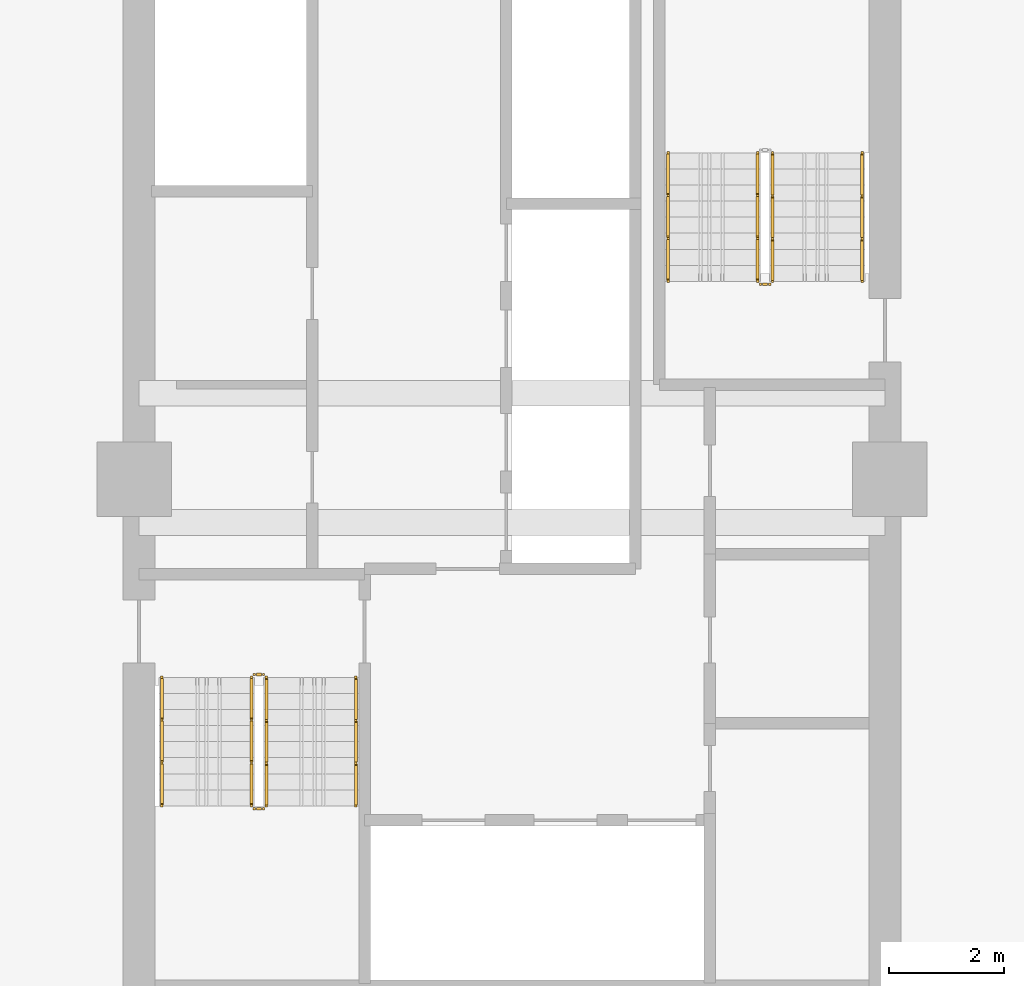
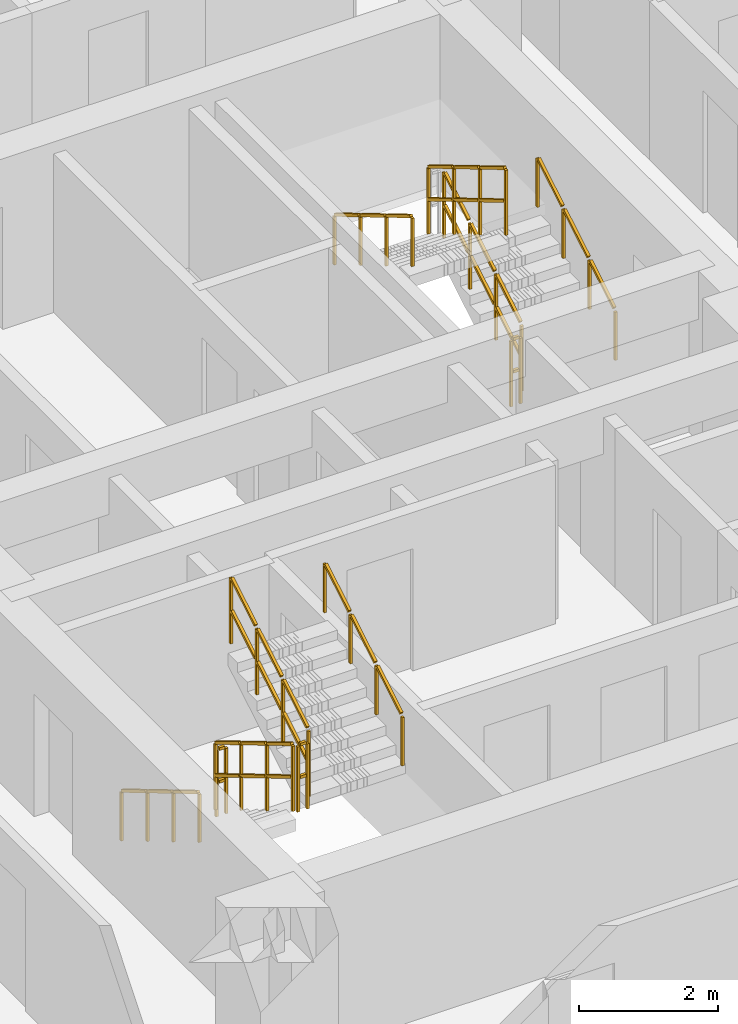
# One storey, part 10 of 12: 11 railings.
"""IFC4 building model written with IfcOpenShell, lengths in metres."""

from ifc_helpers import new_model, si_unit, direction, frame, origin, origin_2d, place, context, subcontext, project, spatial, rectangle, extrude, material, type_object, element, save


model = new_model("IFC4")

# Units and contexts
model_context = context("Model", 3, precision=1e-05, world=origin(), true_north=direction((0.0, 1.0)))
body_context = subcontext(model_context, "Body", "Model", "MODEL_VIEW")
ifc_project = project(units=[si_unit("LENGTHUNIT", "METRE"), si_unit("AREAUNIT", "SQUARE_METRE"), si_unit("VOLUMEUNIT", "CUBIC_METRE"), si_unit("PLANEANGLEUNIT", "RADIAN"), si_unit("MASSUNIT", "GRAM", prefix="KILO")], contexts=[model_context])

# Site, building, storey
site_placement = place(None, origin())
site = spatial("IfcSite", under=ifc_project, at=site_placement, CompositionType="ELEMENT")
building_placement = place(site_placement, origin())
building = spatial("IfcBuilding", under=site, at=building_placement, Name="Saelheon Loggia Tower", CompositionType="ELEMENT")
storey_placement = place(building_placement, frame((0.0, 0.0, 101.85009765625)))
storey = spatial("IfcBuildingStorey", under=building, at=storey_placement, Name="L32", CompositionType="ELEMENT", Elevation=101.85009765625)

# Railings
ifc_material_1 = material(Name="Galvanised Steel S275 Stairwell Guardrail", Category="steel")
railing_type_1 = type_object("IfcRailingType", Name="Guard_StairWell_RL_STG", PredefinedType="GUARDRAIL", material=ifc_material_1)
railing_1_placement = place(storey_placement, frame((33.4599609375, 23.550048828125, 0.16650390625)))
element("IfcRailing", 1, at=railing_1_placement, inside=storey, type_object=railing_type_1, Name="L32 ST1 stair guard 1", PredefinedType="GUARDRAIL", context=body_context, shape_type="SweptSolid", body=[
    extrude(rectangle(XDim=0.048095703125, YDim=0.048095703125, at=origin_2d()), frame((0.0, -0.028564453125, 1.19287109375), z_axis=(0.0, -0.859264461869, 0.511531606619), x_axis=(1.0, 0.0, 0.0)), (0.0, 0.0, 1.0), 0.802490234375),
    extrude(rectangle(XDim=0.048095703125, YDim=0.048095703125, at=origin_2d()), frame((0.0, -0.028564453125, 0.616943359375), z_axis=(0.0, -0.859264461869, 0.511531606619), x_axis=(1.0, 0.0, 0.0)), (0.0, 0.0, 1.0), 0.802490234375),
    extrude(rectangle(XDim=0.048095703125, YDim=0.048095703125, at=origin_2d()), frame((0.0, -0.775146484375, 1.637451171875), z_axis=(0.0, -0.859264461869, 0.511531606619), x_axis=(1.0, 0.0, 0.0)), (0.0, 0.0, 1.0), 0.802490234375),
    extrude(rectangle(XDim=0.048095703125, YDim=0.048095703125, at=origin_2d()), frame((0.0, -0.775146484375, 1.0615234375), z_axis=(0.0, -0.859264461869, 0.511531606619), x_axis=(1.0, 0.0, 0.0)), (0.0, 0.0, 1.0), 0.802490234375),
    extrude(rectangle(XDim=0.048095703125, YDim=0.048095703125, at=origin_2d()), frame((0.0, -1.52197265625, 2.081787109375), z_axis=(0.0, -0.859264461869, 0.511531606619), x_axis=(1.0, 0.0, 0.0)), (0.0, 0.0, 1.0), 0.802490234375),
    extrude(rectangle(XDim=0.048095703125, YDim=0.048095703125, at=origin_2d()), frame((0.0, -1.52197265625, 1.505859375), z_axis=(0.0, -0.859264461869, 0.511531606619), x_axis=(1.0, 0.0, 0.0)), (0.0, 0.0, 1.0), 0.802490234375),
    extrude(rectangle(XDim=0.0419921875, YDim=0.0419921875, at=origin_2d()), origin(), (0.0, 0.0, 1.0), 1.14794921875),
    extrude(rectangle(XDim=0.0419921875, YDim=0.0419921875, at=origin_2d()), frame((0.0, -0.74658203125, 0.444580078125)), (0.0, 0.0, 1.0), 1.14794921875),
    extrude(rectangle(XDim=0.0419921875, YDim=0.0419921875, at=origin_2d()), frame((0.0, -1.493408203125, 0.888916015625)), (0.0, 0.0, 1.0), 1.14794921875),
    extrude(rectangle(XDim=0.0419921875, YDim=0.0419921875, at=origin_2d()), frame((0.0, -2.239990234375, 1.33349609375)), (0.0, 0.0, 1.0), 1.14794921875),
])
railing_2_placement = place(storey_placement, frame((33.510009765625, 21.260009765625, 1.5)))
element("IfcRailing", 2, at=railing_2_placement, inside=storey, type_object=railing_type_1, Name="L32 ST1 stair guard 2", PredefinedType="GUARDRAIL", context=body_context, shape_type="SweptSolid", body=[
    extrude(rectangle(XDim=0.048095703125, YDim=0.048095703125, at=origin_2d()), frame((0.033203125, 0.0, 1.17578125), z_axis=(1.0, 0.0, 0.0), x_axis=(0.0, 1.0, 0.0)), (0.0, 0.0, 1.0), 0.093505859375),
    extrude(rectangle(XDim=0.048095703125, YDim=0.048095703125, at=origin_2d()), frame((0.033203125, 0.0, 0.60009765625), z_axis=(1.0, 0.0, 0.0), x_axis=(0.0, 1.0, 0.0)), (0.0, 0.0, 1.0), 0.093505859375),
    extrude(rectangle(XDim=0.0419921875, YDim=0.0419921875, at=origin_2d()), origin(), (0.0, 0.0, 1.0), 1.14794921875),
    extrude(rectangle(XDim=0.0419921875, YDim=0.0419921875, at=origin_2d()), frame((0.159912109375, 0.0, 0.0)), (0.0, 0.0, 1.0), 1.14794921875),
])
railing_3_placement = place(storey_placement, frame((33.719970703125, 21.31005859375, 1.66650390625)))
element("IfcRailing", 3, at=railing_3_placement, inside=storey, type_object=railing_type_1, Name="L32 ST1 stair guard 3", PredefinedType="GUARDRAIL", context=body_context, shape_type="SweptSolid", body=[
    extrude(rectangle(XDim=0.048095703125, YDim=0.048095703125, at=origin_2d()), frame((0.0, 0.028564453125, 1.19287109375), z_axis=(0.0, 0.859264461869, 0.511531606619), x_axis=(-1.0, 0.0, 0.0)), (0.0, 0.0, 1.0), 0.802490234375),
    extrude(rectangle(XDim=0.048095703125, YDim=0.048095703125, at=origin_2d()), frame((0.0, 0.028564453125, 0.616943359375), z_axis=(0.0, 0.859264461869, 0.511531606619), x_axis=(-1.0, 0.0, 0.0)), (0.0, 0.0, 1.0), 0.802490234375),
    extrude(rectangle(XDim=0.048095703125, YDim=0.048095703125, at=origin_2d()), frame((0.0, 0.775146484375, 1.637451171875), z_axis=(0.0, 0.859264461869, 0.511531606619), x_axis=(-1.0, 0.0, 0.0)), (0.0, 0.0, 1.0), 0.802490234375),
    extrude(rectangle(XDim=0.048095703125, YDim=0.048095703125, at=origin_2d()), frame((0.0, 0.775146484375, 1.0615234375), z_axis=(0.0, 0.859264461869, 0.511531606619), x_axis=(-1.0, 0.0, 0.0)), (0.0, 0.0, 1.0), 0.802490234375),
    extrude(rectangle(XDim=0.048095703125, YDim=0.048095703125, at=origin_2d()), frame((0.0, 1.52197265625, 2.081787109375), z_axis=(0.0, 0.859264461869, 0.511531606619), x_axis=(-1.0, 0.0, 0.0)), (0.0, 0.0, 1.0), 0.802490234375),
    extrude(rectangle(XDim=0.048095703125, YDim=0.048095703125, at=origin_2d()), frame((0.0, 1.52197265625, 1.505859375), z_axis=(0.0, 0.859264461869, 0.511531606619), x_axis=(-1.0, 0.0, 0.0)), (0.0, 0.0, 1.0), 0.802490234375),
    extrude(rectangle(XDim=0.0419921875, YDim=0.0419921875, at=origin_2d()), origin(), (0.0, 0.0, 1.0), 1.14794921875),
    extrude(rectangle(XDim=0.0419921875, YDim=0.0419921875, at=origin_2d()), frame((0.0, 0.74658203125, 0.444580078125)), (0.0, 0.0, 1.0), 1.14794921875),
    extrude(rectangle(XDim=0.0419921875, YDim=0.0419921875, at=origin_2d()), frame((0.0, 1.493408203125, 0.888916015625)), (0.0, 0.0, 1.0), 1.14794921875),
    extrude(rectangle(XDim=0.0419921875, YDim=0.0419921875, at=origin_2d()), frame((0.0, 2.239990234375, 1.33349609375)), (0.0, 0.0, 1.0), 1.14794921875),
])
railing_4_placement = place(storey_placement, frame((33.510009765625, 23.60009765625, 0.0)))
element("IfcRailing", 4, at=railing_4_placement, inside=storey, type_object=railing_type_1, Name="L32 ST1 stair guard 4", PredefinedType="GUARDRAIL", context=body_context, shape_type="SweptSolid", body=[
    extrude(rectangle(XDim=0.048095703125, YDim=0.048095703125, at=origin_2d()), frame((0.033203125, 0.0, 1.17578125), z_axis=(1.0, 0.0, 0.0), x_axis=(0.0, 1.0, 0.0)), (0.0, 0.0, 1.0), 0.093505859375),
    extrude(rectangle(XDim=0.048095703125, YDim=0.048095703125, at=origin_2d()), frame((0.033203125, 0.0, 0.60009765625), z_axis=(1.0, 0.0, 0.0), x_axis=(0.0, 1.0, 0.0)), (0.0, 0.0, 1.0), 0.093505859375),
    extrude(rectangle(XDim=0.0419921875, YDim=0.0419921875, at=origin_2d()), origin(), (0.0, 0.0, 1.0), 1.14794921875),
    extrude(rectangle(XDim=0.0419921875, YDim=0.0419921875, at=origin_2d()), frame((0.159912109375, 0.0, 0.0)), (0.0, 0.0, 1.0), 1.14794921875),
])
railing_5_placement = place(storey_placement, frame((42.5400390625, 30.449951171875, 0.16650390625)))
element("IfcRailing", 5, at=railing_5_placement, inside=storey, type_object=railing_type_1, Name="L32 ST2 stair guard 1", PredefinedType="GUARDRAIL", context=body_context, shape_type="SweptSolid", body=[
    extrude(rectangle(XDim=0.048095703125, YDim=0.048095703125, at=origin_2d()), frame((0.0, 0.028564453125, 1.19287109375), z_axis=(0.0, 0.859264461869, 0.511531606619), x_axis=(-1.0, 0.0, 0.0)), (0.0, 0.0, 1.0), 0.802490234375),
    extrude(rectangle(XDim=0.048095703125, YDim=0.048095703125, at=origin_2d()), frame((0.0, 0.028564453125, 0.616943359375), z_axis=(0.0, 0.859264461869, 0.511531606619), x_axis=(-1.0, 0.0, 0.0)), (0.0, 0.0, 1.0), 0.802490234375),
    extrude(rectangle(XDim=0.048095703125, YDim=0.048095703125, at=origin_2d()), frame((0.0, 0.775146484375, 1.637451171875), z_axis=(0.0, 0.859264461869, 0.511531606619), x_axis=(-1.0, 0.0, 0.0)), (0.0, 0.0, 1.0), 0.802490234375),
    extrude(rectangle(XDim=0.048095703125, YDim=0.048095703125, at=origin_2d()), frame((0.0, 0.775146484375, 1.0615234375), z_axis=(0.0, 0.859264461869, 0.511531606619), x_axis=(-1.0, 0.0, 0.0)), (0.0, 0.0, 1.0), 0.802490234375),
    extrude(rectangle(XDim=0.048095703125, YDim=0.048095703125, at=origin_2d()), frame((0.0, 1.52197265625, 2.081787109375), z_axis=(0.0, 0.859264461869, 0.511531606619), x_axis=(-1.0, 0.0, 0.0)), (0.0, 0.0, 1.0), 0.802490234375),
    extrude(rectangle(XDim=0.048095703125, YDim=0.048095703125, at=origin_2d()), frame((0.0, 1.52197265625, 1.505859375), z_axis=(0.0, 0.859264461869, 0.511531606619), x_axis=(-1.0, 0.0, 0.0)), (0.0, 0.0, 1.0), 0.802490234375),
    extrude(rectangle(XDim=0.0419921875, YDim=0.0419921875, at=origin_2d()), origin(), (0.0, 0.0, 1.0), 1.14794921875),
    extrude(rectangle(XDim=0.0419921875, YDim=0.0419921875, at=origin_2d()), frame((0.0, 0.74658203125, 0.444580078125)), (0.0, 0.0, 1.0), 1.14794921875),
    extrude(rectangle(XDim=0.0419921875, YDim=0.0419921875, at=origin_2d()), frame((0.0, 1.493408203125, 0.888916015625)), (0.0, 0.0, 1.0), 1.14794921875),
    extrude(rectangle(XDim=0.0419921875, YDim=0.0419921875, at=origin_2d()), frame((0.0, 2.239990234375, 1.33349609375)), (0.0, 0.0, 1.0), 1.14794921875),
])
railing_6_placement = place(storey_placement, frame((42.280029296875, 32.68994140625, 1.66650390625)))
element("IfcRailing", 6, at=railing_6_placement, inside=storey, type_object=railing_type_1, Name="L32 ST2 stair guard 3", PredefinedType="GUARDRAIL", context=body_context, shape_type="SweptSolid", body=[
    extrude(rectangle(XDim=0.048095703125, YDim=0.048095703125, at=origin_2d()), frame((0.0, -0.028564453125, 1.19287109375), z_axis=(0.0, -0.859264461869, 0.511531606619), x_axis=(1.0, 0.0, 0.0)), (0.0, 0.0, 1.0), 0.802490234375),
    extrude(rectangle(XDim=0.048095703125, YDim=0.048095703125, at=origin_2d()), frame((0.0, -0.028564453125, 0.616943359375), z_axis=(0.0, -0.859264461869, 0.511531606619), x_axis=(1.0, 0.0, 0.0)), (0.0, 0.0, 1.0), 0.802490234375),
    extrude(rectangle(XDim=0.048095703125, YDim=0.048095703125, at=origin_2d()), frame((0.0, -0.775146484375, 1.637451171875), z_axis=(0.0, -0.859264461869, 0.511531606619), x_axis=(1.0, 0.0, 0.0)), (0.0, 0.0, 1.0), 0.802490234375),
    extrude(rectangle(XDim=0.048095703125, YDim=0.048095703125, at=origin_2d()), frame((0.0, -0.775146484375, 1.0615234375), z_axis=(0.0, -0.859264461869, 0.511531606619), x_axis=(1.0, 0.0, 0.0)), (0.0, 0.0, 1.0), 0.802490234375),
    extrude(rectangle(XDim=0.048095703125, YDim=0.048095703125, at=origin_2d()), frame((0.0, -1.52197265625, 2.081787109375), z_axis=(0.0, -0.859264461869, 0.511531606619), x_axis=(1.0, 0.0, 0.0)), (0.0, 0.0, 1.0), 0.802490234375),
    extrude(rectangle(XDim=0.048095703125, YDim=0.048095703125, at=origin_2d()), frame((0.0, -1.52197265625, 1.505859375), z_axis=(0.0, -0.859264461869, 0.511531606619), x_axis=(1.0, 0.0, 0.0)), (0.0, 0.0, 1.0), 0.802490234375),
    extrude(rectangle(XDim=0.0419921875, YDim=0.0419921875, at=origin_2d()), origin(), (0.0, 0.0, 1.0), 1.14794921875),
    extrude(rectangle(XDim=0.0419921875, YDim=0.0419921875, at=origin_2d()), frame((0.0, -0.74658203125, 0.444580078125)), (0.0, 0.0, 1.0), 1.14794921875),
    extrude(rectangle(XDim=0.0419921875, YDim=0.0419921875, at=origin_2d()), frame((0.0, -1.493408203125, 0.888916015625)), (0.0, 0.0, 1.0), 1.14794921875),
    extrude(rectangle(XDim=0.0419921875, YDim=0.0419921875, at=origin_2d()), frame((0.0, -2.239990234375, 1.33349609375)), (0.0, 0.0, 1.0), 1.14794921875),
])
railing_7_placement = place(storey_placement, frame((42.489990234375, 30.39990234375, 0.0)))
element("IfcRailing", 7, at=railing_7_placement, inside=storey, type_object=railing_type_1, Name="L32 ST2 stair guard 4", PredefinedType="GUARDRAIL", context=body_context, shape_type="SweptSolid", body=[
    extrude(rectangle(XDim=0.048095703125, YDim=0.048095703125, at=origin_2d()), frame((-0.033203125, 0.0, 1.17578125), z_axis=(-1.0, 0.0, 0.0), x_axis=(0.0, -1.0, 0.0)), (0.0, 0.0, 1.0), 0.093505859375),
    extrude(rectangle(XDim=0.048095703125, YDim=0.048095703125, at=origin_2d()), frame((-0.033203125, 0.0, 0.60009765625), z_axis=(-1.0, 0.0, 0.0), x_axis=(0.0, -1.0, 0.0)), (0.0, 0.0, 1.0), 0.093505859375),
    extrude(rectangle(XDim=0.0419921875, YDim=0.0419921875, at=origin_2d()), origin(), (0.0, 0.0, 1.0), 1.14794921875),
    extrude(rectangle(XDim=0.0419921875, YDim=0.0419921875, at=origin_2d()), frame((-0.159912109375, 0.0, 0.0)), (0.0, 0.0, 1.0), 1.14794921875),
])
ifc_material_2 = material(Name="Stainless Steel 304 Tubular Handrail", Category="steel")
railing_type_2 = type_object("IfcRailingType", Name="Handrail_Stair_RL_HR1", PredefinedType="HANDRAIL", material=ifc_material_2)
railing_8_placement = place(storey_placement, frame((31.89990234375, 23.550048828125, 0.16650390625)))
element("IfcRailing", 8, at=railing_8_placement, inside=storey, type_object=railing_type_2, Name="L32 ST1 stair handrail 1", PredefinedType="HANDRAIL", context=body_context, shape_type="SweptSolid", body=[
    extrude(rectangle(XDim=0.048095703125, YDim=0.048095703125, at=origin_2d()), frame((0.0, -0.028564453125, 0.892822265625), z_axis=(0.0, -0.859264461869, 0.511531606619), x_axis=(1.0, 0.0, 0.0)), (0.0, 0.0, 1.0), 0.802490234375),
    extrude(rectangle(XDim=0.048095703125, YDim=0.048095703125, at=origin_2d()), frame((0.0, -0.775146484375, 1.33740234375), z_axis=(0.0, -0.859264461869, 0.511531606619), x_axis=(1.0, 0.0, 0.0)), (0.0, 0.0, 1.0), 0.802490234375),
    extrude(rectangle(XDim=0.048095703125, YDim=0.048095703125, at=origin_2d()), frame((0.0, -1.52197265625, 1.78173828125), z_axis=(0.0, -0.859264461869, 0.511531606619), x_axis=(1.0, 0.0, 0.0)), (0.0, 0.0, 1.0), 0.802490234375),
    extrude(rectangle(XDim=0.0419921875, YDim=0.0419921875, at=origin_2d()), origin(), (0.0, 0.0, 1.0), 0.847900390625),
    extrude(rectangle(XDim=0.0419921875, YDim=0.0419921875, at=origin_2d()), frame((0.0, -0.74658203125, 0.444580078125)), (0.0, 0.0, 1.0), 0.847900390625),
    extrude(rectangle(XDim=0.0419921875, YDim=0.0419921875, at=origin_2d()), frame((0.0, -1.493408203125, 0.888916015625)), (0.0, 0.0, 1.0), 0.847900390625),
    extrude(rectangle(XDim=0.0419921875, YDim=0.0419921875, at=origin_2d()), frame((0.0, -2.239990234375, 1.33349609375)), (0.0, 0.0, 1.0), 0.847900390625),
])
for number, where, name in (
    (9, (35.280029296875, 21.31005859375, 1.66650390625), "L32 ST1 stair handrail 2"),
    (10, (44.10009765625, 30.449951171875, 0.16650390625), "L32 ST2 stair handrail 1"),
):
    element("IfcRailing", number, at=place(storey_placement, frame(where)), inside=storey, type_object=railing_type_2, Name=name, PredefinedType="HANDRAIL", context=body_context, shape_type="SweptSolid", body=[
        extrude(rectangle(XDim=0.048095703125, YDim=0.048095703125, at=origin_2d()), frame((0.0, 0.028564453125, 0.892822265625), z_axis=(0.0, 0.859264461869, 0.511531606619), x_axis=(-1.0, 0.0, 0.0)), (0.0, 0.0, 1.0), 0.802490234375),
        extrude(rectangle(XDim=0.048095703125, YDim=0.048095703125, at=origin_2d()), frame((0.0, 0.775146484375, 1.33740234375), z_axis=(0.0, 0.859264461869, 0.511531606619), x_axis=(-1.0, 0.0, 0.0)), (0.0, 0.0, 1.0), 0.802490234375),
        extrude(rectangle(XDim=0.048095703125, YDim=0.048095703125, at=origin_2d()), frame((0.0, 1.52197265625, 1.78173828125), z_axis=(0.0, 0.859264461869, 0.511531606619), x_axis=(-1.0, 0.0, 0.0)), (0.0, 0.0, 1.0), 0.802490234375),
        extrude(rectangle(XDim=0.0419921875, YDim=0.0419921875, at=origin_2d()), origin(), (0.0, 0.0, 1.0), 0.847900390625),
        extrude(rectangle(XDim=0.0419921875, YDim=0.0419921875, at=origin_2d()), frame((0.0, 0.74658203125, 0.444580078125)), (0.0, 0.0, 1.0), 0.847900390625),
        extrude(rectangle(XDim=0.0419921875, YDim=0.0419921875, at=origin_2d()), frame((0.0, 1.493408203125, 0.888916015625)), (0.0, 0.0, 1.0), 0.847900390625),
        extrude(rectangle(XDim=0.0419921875, YDim=0.0419921875, at=origin_2d()), frame((0.0, 2.239990234375, 1.33349609375)), (0.0, 0.0, 1.0), 0.847900390625),
    ])
railing_9_placement = place(storey_placement, frame((40.719970703125, 32.68994140625, 1.66650390625)))
element("IfcRailing", 11, at=railing_9_placement, inside=storey, type_object=railing_type_2, Name="L32 ST2 stair handrail 2", PredefinedType="HANDRAIL", context=body_context, shape_type="SweptSolid", body=[
    extrude(rectangle(XDim=0.048095703125, YDim=0.048095703125, at=origin_2d()), frame((0.0, -0.028564453125, 0.892822265625), z_axis=(0.0, -0.859264461869, 0.511531606619), x_axis=(1.0, 0.0, 0.0)), (0.0, 0.0, 1.0), 0.802490234375),
    extrude(rectangle(XDim=0.048095703125, YDim=0.048095703125, at=origin_2d()), frame((0.0, -0.775146484375, 1.33740234375), z_axis=(0.0, -0.859264461869, 0.511531606619), x_axis=(1.0, 0.0, 0.0)), (0.0, 0.0, 1.0), 0.802490234375),
    extrude(rectangle(XDim=0.048095703125, YDim=0.048095703125, at=origin_2d()), frame((0.0, -1.52197265625, 1.78173828125), z_axis=(0.0, -0.859264461869, 0.511531606619), x_axis=(1.0, 0.0, 0.0)), (0.0, 0.0, 1.0), 0.802490234375),
    extrude(rectangle(XDim=0.0419921875, YDim=0.0419921875, at=origin_2d()), origin(), (0.0, 0.0, 1.0), 0.847900390625),
    extrude(rectangle(XDim=0.0419921875, YDim=0.0419921875, at=origin_2d()), frame((0.0, -0.74658203125, 0.444580078125)), (0.0, 0.0, 1.0), 0.847900390625),
    extrude(rectangle(XDim=0.0419921875, YDim=0.0419921875, at=origin_2d()), frame((0.0, -1.493408203125, 0.888916015625)), (0.0, 0.0, 1.0), 0.847900390625),
    extrude(rectangle(XDim=0.0419921875, YDim=0.0419921875, at=origin_2d()), frame((0.0, -2.239990234375, 1.33349609375)), (0.0, 0.0, 1.0), 0.847900390625),
])

save(model, "model.ifc")
